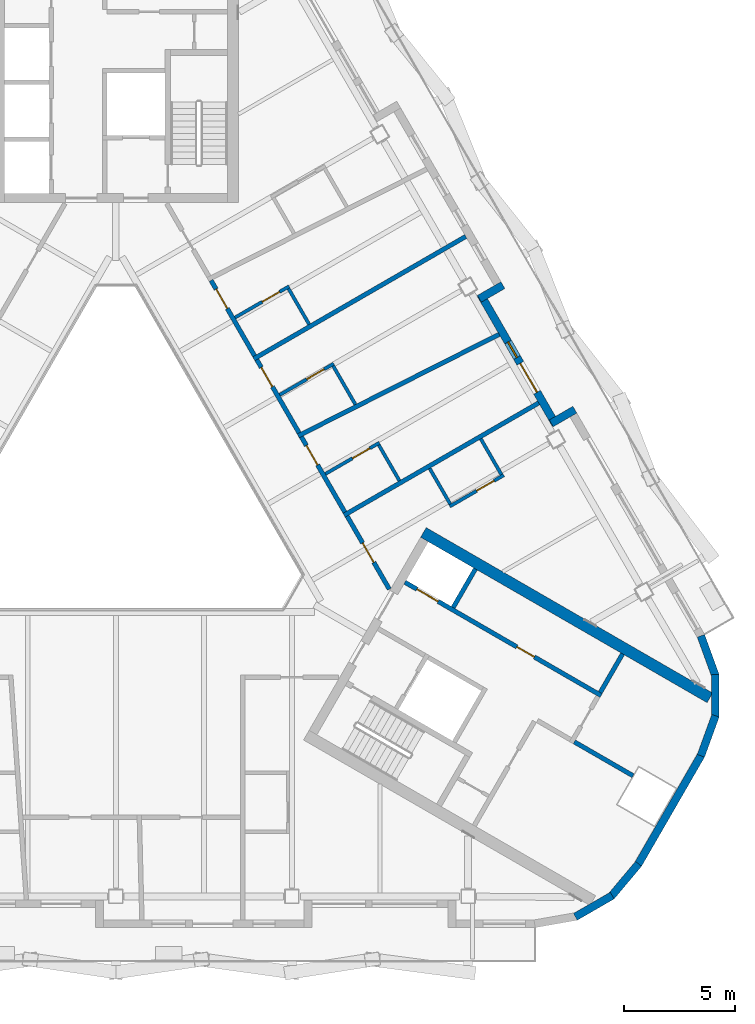
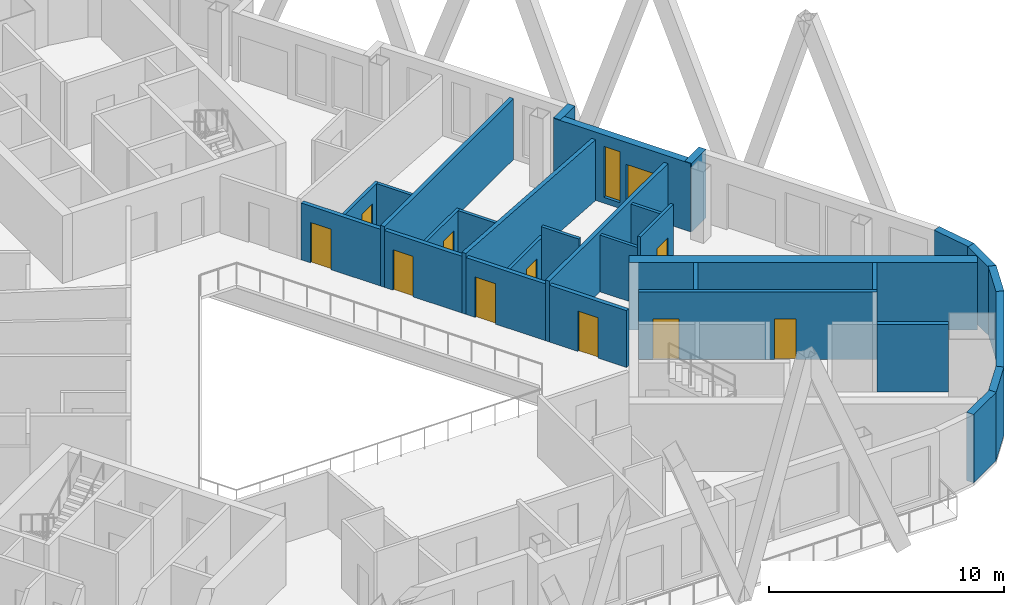
# One storey, part 8 of 18: 30 walls, 11 doors, 1 window, 12 openings.
"""IFC4 building model written with IfcOpenShell, lengths in metres."""

from ifc_helpers import new_model, si_unit, direction, frame, frame_2d, origin, place, context, subcontext, project, spatial, rectangle, extrude, material, layer, layer_set, type_object, element, fill, save


model = new_model("IFC4")

# Units and contexts
model_context = context("Model", 3, precision=1e-05, world=origin(), true_north=direction((0.0, 1.0)))
body_context = subcontext(model_context, "Body", "Model", "MODEL_VIEW")
ifc_project = project(units=[si_unit("LENGTHUNIT", "METRE"), si_unit("AREAUNIT", "SQUARE_METRE"), si_unit("VOLUMEUNIT", "CUBIC_METRE"), si_unit("PLANEANGLEUNIT", "RADIAN"), si_unit("MASSUNIT", "GRAM", prefix="KILO")], contexts=[model_context])

# Site, building, storey
site_placement = place(None, origin())
site = spatial("IfcSite", under=ifc_project, at=site_placement, CompositionType="ELEMENT")
building_placement = place(site_placement, origin())
building = spatial("IfcBuilding", under=site, at=building_placement, Name="Apuvela Tower Hotel", CompositionType="ELEMENT")
storey_placement = place(building_placement, frame((0.0, 0.0, 246.699951171875)))
storey = spatial("IfcBuildingStorey", under=building, at=storey_placement, Name="L60", CompositionType="ELEMENT", Elevation=246.699951171875)

# Wall
ifc_material_1 = material(Name="Concrete C50/60", Category="concrete")
ifc_layer_1 = layer(ifc_material_1, 0.5)
ifc_layer_set_1 = layer_set([ifc_layer_1], Name="COR-WALL-CORE-500")
wall_type_1 = type_object("IfcWallType", Name="COR-WALL-CORE-500", PredefinedType="SHEAR", material=ifc_layer_set_1)
wall_1_placement = place(storey_placement, frame((13.796630859375, -1.9033203125, 0.0), z_axis=(0.0, 0.0, 1.0), x_axis=(0.866025009528, -0.500000682871, 0.0)))
element("IfcWall", 1, at=wall_1_placement, inside=storey, type_object=wall_type_1, Name="Core wall SE", PredefinedType="SHEAR", context=body_context, shape_type="SweptSolid", body=[
    extrude(rectangle(XDim=14.8369140625, YDim=0.5, at=frame_2d((7.41845703125, 0.0))), origin(), (0.0, 0.0, 1.0), 3.5),
])

# Wall, openings, doors
ifc_layer_2 = layer(ifc_material_1, 0.199951171875)
ifc_layer_set_2 = layer_set([ifc_layer_2], Name="COR-WALL-SHAFT-200")
wall_type_2 = type_object("IfcWallType", Name="COR-WALL-SHAFT-200", PredefinedType="SHEAR", material=ifc_layer_set_2)
wall_2_placement = place(storey_placement, frame((12.968017578125, -4.138427734375, 0.0), z_axis=(0.0, 0.0, 1.0), x_axis=(0.866028328073, -0.49999493495, 0.0)))
wall_2 = element("IfcWall", 2, at=wall_2_placement, inside=storey, type_object=wall_type_2, Name="Shaft wall SE", PredefinedType="SHEAR", context=body_context, shape_type="SweptSolid", body=[
    extrude(rectangle(XDim=10.16015625, YDim=0.199951171875, at=frame_2d((5.080078125, 0.0))), origin(), (0.0, 0.0, 1.0), 3.5),
])
opening_1_placement = place(wall_2_placement, frame((0.6201171875, 0.0, 0.0)))
opening_1 = element("IfcOpeningElement", 3, at=opening_1_placement, cuts=wall_2, Name="Opening E-LD-HR3", PredefinedType="OPENING", context=body_context, shape_type="SweptSolid", body=[
    extrude(rectangle(XDim=1.10009765625, YDim=2.10009765625, at=frame_2d((0.550048828125, 1.050048828125))), frame((0.0, 0.10986328125, 0.0), z_axis=(0.0, -1.0, 0.0), x_axis=(1.0, 0.0, 0.0)), (0.0, 0.0, 1.0), 0.219970703125),
])
opening_2_placement = place(wall_2_placement, frame((5.800048828125, 0.0, 0.0)))
opening_2 = element("IfcOpeningElement", 4, at=opening_2_placement, cuts=wall_2, Name="Opening E-RE2", PredefinedType="OPENING", context=body_context, shape_type="SweptSolid", body=[
    extrude(rectangle(XDim=0.89990234375, YDim=2.10009765625, at=frame_2d((0.449951171875, 1.050048828125))), frame((0.0, 0.10986328125, 0.0), z_axis=(0.0, -1.0, 0.0), x_axis=(1.0, 0.0, 0.0)), (0.0, 0.0, 1.0), 0.219970703125),
])
ifc_material_2 = material(Name="Steel fire door, powder coated", Category="steel")
door_type_1 = type_object("IfcDoorType", Name="COR-DR-900", OperationType="NOTDEFINED", PredefinedType="DOOR", material=ifc_material_2)
door_1_placement = place(opening_2_placement, origin())
door_1 = element("IfcDoor", 5, at=door_1_placement, inside=storey, type_object=door_type_1, Name="Store door E-RE2", OperationType="SINGLE_SWING_LEFT", OverallHeight=2.10009765625, OverallWidth=0.89990234375, PredefinedType="DOOR", context=body_context, shape_type="SweptSolid", body=[
    extrude(rectangle(XDim=0.89990234375, YDim=2.10009765625, at=frame_2d((0.449951171875, 1.050048828125))), frame((0.0, 0.02490234375, 0.0), z_axis=(0.0, -1.0, 0.0), x_axis=(1.0, 0.0, 0.0)), (0.0, 0.0, 1.0), 0.050048828125),
])
fill(opening_2, door_1)
ifc_material_3 = material(Name="Stainless steel lift landing door", Category="steel")
door_type_2 = type_object("IfcDoorType", Name="COR-LD-1100", OperationType="DOUBLE_DOOR_SLIDING", PredefinedType="DOOR", material=ifc_material_3)
door_2_placement = place(opening_1_placement, origin())
door_2 = element("IfcDoor", 6, at=door_2_placement, inside=storey, type_object=door_type_2, Name="Lift landing door E-LD-HR3", OperationType="DOUBLE_DOOR_SLIDING", OverallHeight=2.10009765625, OverallWidth=1.10009765625, PredefinedType="DOOR", context=body_context, shape_type="SweptSolid", body=[
    extrude(rectangle(XDim=1.10009765625, YDim=2.10009765625, at=frame_2d((0.550048828125, 1.050048828125))), frame((0.0, 0.02490234375, 0.0), z_axis=(0.0, -1.0, 0.0), x_axis=(1.0, 0.0, 0.0)), (0.0, 0.0, 1.0), 0.050048828125),
])
fill(opening_1, door_2)

# Walls
for number, where, z_axis, x_axis, name in (
    (7, (15.131103515625, -5.27197265625, 0.0), (0.0, 0.0, 1.0), (0.499972520799, 0.866041268327, 0.0), "Shaft wall SE"),
    (8, (21.73046875, -9.081787109375, 0.0), (0.0, 0.0, 1.0), (0.50002537861, 0.866010750942, 0.0), "Shaft wall SE"),
):
    element("IfcWall", number, at=place(storey_placement, frame(where, z_axis=z_axis, x_axis=x_axis)), inside=storey, type_object=wall_type_2, Name=name, PredefinedType="SHEAR", context=body_context, shape_type="SweptSolid", body=[
        extrude(rectangle(XDim=2.0, YDim=0.199951171875, at=frame_2d((1.0, 0.0))), origin(), (0.0, 0.0, 1.0), 3.5),
    ])
wall_3_placement = place(storey_placement, frame((20.56689453125, -11.297119140625, 0.0), z_axis=(0.0, 0.0, 1.0), x_axis=(0.866065229334, -0.49993101378, 0.0)))
element("IfcWall", 9, at=wall_3_placement, inside=storey, type_object=wall_type_2, Name="Shaft wall SE", PredefinedType="SHEAR", context=body_context, shape_type="SweptSolid", body=[
    extrude(rectangle(XDim=3.0400390625, YDim=0.199951171875, at=frame_2d((1.52001953125, 0.0))), origin(), (0.0, 0.0, 1.0), 3.5),
])
ifc_material_4 = material(Name="Concrete C40/50, dark pigmented precast panel", Category="concrete")
ifc_layer_3 = layer(ifc_material_4, 0.35009765625)
ifc_layer_set_3 = layer_set([ifc_layer_3], Name="ENV-WALL-350")
wall_type_3 = type_object("IfcWallType", Name="ENV-WALL-350", PredefinedType="SOLIDWALL", material=ifc_layer_set_3)
for number, where, z_axis, x_axis, name in (
    (10, (20.609619140625, -19.146728515625, 0.0), (0.0, 0.0, 1.0), (0.866000389056, 0.500043324278, 0.0), "External wall L60-27"),
    (11, (22.21728515625, -18.230712890625, 0.0), (0.0, 0.0, 1.0), (0.642733291068, 0.76609001857, 0.0), "External wall L60-28"),
):
    element("IfcWall", number, at=place(storey_placement, frame(where, z_axis=z_axis, x_axis=x_axis)), inside=storey, type_object=wall_type_3, Name=name, PredefinedType="SOLIDWALL", context=body_context, shape_type="SweptSolid", body=[
        extrude(rectangle(XDim=1.909912109375, YDim=0.35009765625, at=frame_2d((0.955078125, 0.0))), origin(), (0.0, 0.0, 1.0), 3.550048828125),
    ])
wall_4_placement = place(storey_placement, frame((23.427490234375, -16.79248046875, 0.0), z_axis=(0.0, 0.0, 1.0), x_axis=(0.500018773155, 0.866014564827, 0.0)))
element("IfcWall", 12, at=wall_4_placement, inside=storey, type_object=wall_type_3, Name="External wall L60-29", PredefinedType="SOLIDWALL", context=body_context, shape_type="SweptSolid", body=[
    extrude(rectangle(XDim=5.657958984375, YDim=0.35009765625, at=frame_2d((2.8291015625, 0.0))), origin(), (0.0, 0.0, 1.0), 3.550048828125),
])
for number, where, z_axis, x_axis, name in (
    (13, (26.24365234375, -11.920166015625, 0.0), (0.0, 0.0, 1.0), (0.342030395486, 0.939688889242, 0.0), "External wall L60-30"),
    (14, (26.88623046875, -10.18505859375, 0.0), (0.0, 0.0, 1.0), (0.0, 1.0, 0.0), "External wall L60-31"),
    (15, (26.89697265625, -8.334716796875, 0.0), (0.0, 0.0, 1.0), (-0.342030395486, 0.939688889242, 0.0), "External wall L60-32"),
):
    element("IfcWall", number, at=place(storey_placement, frame(where, z_axis=z_axis, x_axis=x_axis)), inside=storey, type_object=wall_type_3, Name=name, PredefinedType="SOLIDWALL", context=body_context, shape_type="SweptSolid", body=[
        extrude(rectangle(XDim=1.91015625, YDim=0.35009765625, at=frame_2d((0.955078125, 0.0))), origin(), (0.0, 0.0, 1.0), 3.550048828125),
    ])
wall_5_placement = place(storey_placement, frame((20.587646484375, 3.601318359375, 0.0), z_axis=(0.0, 0.0, 1.0), x_axis=(-0.866005645448, -0.500034220881, 0.0)))
element("IfcWall", 16, at=wall_5_placement, inside=storey, type_object=wall_type_3, Name="External wall L60-34", PredefinedType="SOLIDWALL", context=body_context, shape_type="SweptSolid", body=[
    extrude(rectangle(XDim=1.22021484375, YDim=0.35009765625, at=frame_2d((0.610107421875, 0.0))), origin(), (0.0, 0.0, 1.0), 3.550048828125),
])

# Wall, openings, door, window
wall_6_placement = place(storey_placement, frame((19.72900390625, 2.93798828125, 0.0), z_axis=(0.0, 0.0, 1.0), x_axis=(-0.499976430342, 0.866039011305, 0.0)))
wall_6 = element("IfcWall", 17, at=wall_6_placement, inside=storey, type_object=wall_type_3, Name="External wall L60-35", PredefinedType="SOLIDWALL", context=body_context, shape_type="SweptSolid", body=[
    extrude(rectangle(XDim=6.739990234375, YDim=0.35009765625, at=frame_2d((3.3701171875, 0.0))), origin(), (0.0, 0.0, 1.0), 3.550048828125),
])
opening_3_placement = place(wall_6_placement, frame((1.670166015625, 0.0, 0.0)))
opening_3 = element("IfcOpeningElement", 18, at=opening_3_placement, cuts=wall_6, Name="Opening BD15", PredefinedType="OPENING", context=body_context, shape_type="SweptSolid", body=[
    extrude(rectangle(XDim=1.5, YDim=2.39990234375, at=frame_2d((0.75, 1.199951171875))), frame((0.0, 0.18505859375, 0.0), z_axis=(0.0, -1.0, 0.0), x_axis=(1.0, 0.0, 0.0)), (0.0, 0.0, 1.0), 0.3701171875),
])
opening_4_placement = place(wall_6_placement, frame((3.47021484375, 0.0, 0.300048828125)))
opening_4 = element("IfcOpeningElement", 19, at=opening_4_placement, cuts=wall_6, Name="Opening WN08", PredefinedType="OPENING", context=body_context, shape_type="SweptSolid", body=[
    extrude(rectangle(XDim=0.800048828125, YDim=2.64990234375, at=frame_2d((0.39990234375, 1.324951171875))), frame((0.0, 0.18505859375, 0.0), z_axis=(0.0, -1.0, 0.0), x_axis=(1.0, 0.0, 0.0)), (0.0, 0.0, 1.0), 0.3701171875),
])
ifc_material_5 = material(Name="Aluminium 6063-T6, dark bronze anodised frame with dark tinted laminated glass", Category="aluminium")
door_type_3 = type_object("IfcDoorType", Name="ENV-DOOR-BALCONY-1500x2400", OperationType="SLIDING_TO_LEFT", PredefinedType="DOOR", material=ifc_material_5)
door_3_placement = place(opening_3_placement, frame((1.5, 0.0, 0.0), z_axis=(0.0, 0.0, 1.0), x_axis=(-1.0, 0.0, 0.0)))
door_3 = element("IfcDoor", 20, at=door_3_placement, inside=storey, type_object=door_type_3, Name="Balcony door BD15", OperationType="SLIDING_TO_LEFT", OverallHeight=2.39990234375, OverallWidth=1.5, PredefinedType="DOOR", context=body_context, shape_type="SweptSolid", body=[
    extrude(rectangle(XDim=1.5, YDim=2.39990234375, at=frame_2d((0.75, 1.199951171875))), frame((0.0, 0.02490234375, 0.0), z_axis=(0.0, -1.0, 0.0), x_axis=(1.0, 0.0, 0.0)), (0.0, 0.0, 1.0), 0.050048828125),
])
fill(opening_3, door_3)
ifc_material_6 = material(Name="Glass, dark tinted laminated insulated glazing unit", Category="glass")
window_type = type_object("IfcWindowType", Name="ENV-WIN-800x2650", PartitioningType="SINGLE_PANEL", PredefinedType="WINDOW", material=ifc_material_6)
window_placement = place(opening_4_placement, origin())
window = element("IfcWindow", 21, at=window_placement, inside=storey, type_object=window_type, Name="Window WN08", OverallHeight=2.64990234375, OverallWidth=0.800048828125, PartitioningType="SINGLE_PANEL", PredefinedType="WINDOW", context=body_context, shape_type="SweptSolid", body=[
    extrude(rectangle(XDim=0.800048828125, YDim=2.64990234375, at=frame_2d((0.39990234375, 1.324951171875))), frame((0.0, 0.030029296875, 0.0), z_axis=(0.0, -1.0, 0.0), x_axis=(1.0, 0.0, 0.0)), (0.0, 0.0, 1.0), 0.06005859375),
])
fill(opening_4, window)

# Walls
wall_7_placement = place(storey_placement, frame((16.305908203125, 8.5771484375, 0.0), z_axis=(0.0, 0.0, 1.0), x_axis=(0.866092288191, 0.499884134912, 0.0)))
element("IfcWall", 22, at=wall_7_placement, inside=storey, type_object=wall_type_3, Name="External wall L60-36", PredefinedType="SOLIDWALL", context=body_context, shape_type="SweptSolid", body=[
    extrude(rectangle(XDim=1.219970703125, YDim=0.35009765625, at=frame_2d((0.60986328125, 0.0))), origin(), (0.0, 0.0, 1.0), 3.550048828125),
])
ifc_material_7 = material(Name="Gypsum board partition on twin steel stud", Category="steel")
ifc_layer_4 = layer(ifc_material_7, 0.199951171875)
ifc_layer_set_4 = layer_set([ifc_layer_4], Name="GST-PW1")
wall_type_4 = type_object("IfcWallType", Name="GST-PW1", PredefinedType="PARTITIONING", material=ifc_layer_set_4)
wall_8_placement = place(storey_placement, frame((18.967529296875, 3.9072265625, 0.0), z_axis=(0.0, 0.0, 1.0), x_axis=(-0.866022637375, -0.500004791531, 0.0)))
element("IfcWall", 23, at=wall_8_placement, inside=storey, type_object=wall_type_4, Name="L60 partition 04", PredefinedType="PARTITIONING", context=body_context, shape_type="SweptSolid", body=[
    extrude(rectangle(XDim=10.080078125, YDim=0.199951171875, at=frame_2d((5.0400390625, 0.0))), origin(), (0.0, 0.0, 1.0), 3.16015625),
])
wall_9_placement = place(storey_placement, frame((17.1923828125, 6.981689453125, 0.0), z_axis=(0.0, 0.0, 1.0), x_axis=(-0.892469554868, -0.451107629766, 0.0)))
element("IfcWall", 24, at=wall_9_placement, inside=storey, type_object=wall_type_4, Name="L60 partition 05", PredefinedType="PARTITIONING", context=body_context, shape_type="SweptSolid", body=[
    extrude(rectangle(XDim=10.095703125, YDim=0.199951171875, at=frame_2d((5.0478515625, 0.0))), origin(), (0.0, 0.0, 1.0), 3.16015625),
])
wall_10_placement = place(storey_placement, frame((15.697021484375, 11.3720703125, 0.0), z_axis=(0.0, 0.0, 1.0), x_axis=(-0.866027479907, -0.499996404033, 0.0)))
element("IfcWall", 25, at=wall_10_placement, inside=storey, type_object=wall_type_4, Name="L60 partition 06", PredefinedType="PARTITIONING", context=body_context, shape_type="SweptSolid", body=[
    extrude(rectangle(XDim=10.97998046875, YDim=0.199951171875, at=frame_2d((5.489990234375, 0.0))), origin(), (0.0, 0.0, 1.0), 3.16015625),
])

# Wall, opening, door
ifc_material_8 = material(Name="Gypsum board corridor wall on twin steel stud, acoustic", Category="steel")
ifc_layer_5 = layer(ifc_material_8, 0.199951171875)
ifc_layer_set_5 = layer_set([ifc_layer_5], Name="GST-PW2")
wall_type_5 = type_object("IfcWallType", Name="GST-PW2", PredefinedType="PARTITIONING", material=ifc_layer_set_5)
wall_11_placement = place(storey_placement, frame((10.37451171875, -1.16943359375, 0.0), z_axis=(0.0, 0.0, 1.0), x_axis=(0.500055316652, -0.865993464345, 0.0)))
wall_11 = element("IfcWall", 26, at=wall_11_placement, inside=storey, type_object=wall_type_5, Name="L60 partition 21", PredefinedType="PARTITIONING", context=body_context, shape_type="SweptSolid", body=[
    extrude(rectangle(XDim=3.7880859375, YDim=0.199951171875, at=frame_2d((1.89404296875, 0.0))), origin(), (0.0, 0.0, 1.0), 2.949951171875),
])
opening_5_placement = place(wall_11_placement, frame((1.39404296875, 0.0, 0.0)))
opening_5 = element("IfcOpeningElement", 27, at=opening_5_placement, cuts=wall_11, Name="Opening GD23-08", PredefinedType="OPENING", context=body_context, shape_type="SweptSolid", body=[
    extrude(rectangle(XDim=1.0, YDim=2.10009765625, at=frame_2d((0.5, 1.050048828125))), frame((0.0, 0.10986328125, 0.0), z_axis=(0.0, -1.0, 0.0), x_axis=(1.0, 0.0, 0.0)), (0.0, 0.0, 1.0), 0.219970703125),
])
ifc_material_9 = material(Name="Timber door leaf in steel frame", Category="steel")
door_type_4 = type_object("IfcDoorType", Name="GST-D1", OperationType="NOTDEFINED", PredefinedType="DOOR", material=ifc_material_9)
door_4_placement = place(opening_5_placement, origin())
door_4 = element("IfcDoor", 28, at=door_4_placement, inside=storey, type_object=door_type_4, Name="Door L60-08", OperationType="SINGLE_SWING_LEFT", OverallHeight=2.10009765625, OverallWidth=1.0, PredefinedType="DOOR", context=body_context, shape_type="SweptSolid", body=[
    extrude(rectangle(XDim=1.0, YDim=2.10009765625, at=frame_2d((0.5, 1.050048828125))), frame((0.0, 0.02490234375, 0.0), z_axis=(0.0, -1.0, 0.0), x_axis=(1.0, 0.0, 0.0)), (0.0, 0.0, 1.0), 0.050048828125),
])
fill(opening_5, door_4)

wall_12_placement = place(storey_placement, frame((8.322021484375, 2.385986328125, 0.0), z_axis=(0.0, 0.0, 1.0), x_axis=(0.499998439657, -0.866026304647, 0.0)))
wall_12 = element("IfcWall", 29, at=wall_12_placement, inside=storey, type_object=wall_type_5, Name="L60 partition 25", PredefinedType="PARTITIONING", context=body_context, shape_type="SweptSolid", body=[
    extrude(rectangle(XDim=3.9052734375, YDim=0.199951171875, at=frame_2d((1.95263671875, 0.0))), origin(), (0.0, 0.0, 1.0), 2.949951171875),
])
opening_6_placement = place(wall_12_placement, frame((0.455322265625, 0.0, 0.0)))
opening_6 = element("IfcOpeningElement", 30, at=opening_6_placement, cuts=wall_12, Name="Opening GD23-10", PredefinedType="OPENING", context=body_context, shape_type="SweptSolid", body=[
    extrude(rectangle(XDim=1.0, YDim=2.10009765625, at=frame_2d((0.5, 1.050048828125))), frame((0.0, 0.10986328125, 0.0), z_axis=(0.0, -1.0, 0.0), x_axis=(1.0, 0.0, 0.0)), (0.0, 0.0, 1.0), 0.219970703125),
])
door_5_placement = place(opening_6_placement, origin())
door_5 = element("IfcDoor", 31, at=door_5_placement, inside=storey, type_object=door_type_4, Name="Door L60-10", OperationType="SINGLE_SWING_LEFT", OverallHeight=2.10009765625, OverallWidth=1.0, PredefinedType="DOOR", context=body_context, shape_type="SweptSolid", body=[
    extrude(rectangle(XDim=1.0, YDim=2.10009765625, at=frame_2d((0.5, 1.050048828125))), frame((0.0, 0.02490234375, 0.0), z_axis=(0.0, -1.0, 0.0), x_axis=(1.0, 0.0, 0.0)), (0.0, 0.0, 1.0), 0.050048828125),
])
fill(opening_6, door_5)

wall_13_placement = place(storey_placement, frame((6.32470703125, 5.845458984375, 0.0), z_axis=(0.0, 0.0, 1.0), x_axis=(0.499973105789, -0.866040930607, 0.0)))
wall_13 = element("IfcWall", 32, at=wall_13_placement, inside=storey, type_object=wall_type_5, Name="L60 partition 28", PredefinedType="PARTITIONING", context=body_context, shape_type="SweptSolid", body=[
    extrude(rectangle(XDim=3.794189453125, YDim=0.199951171875, at=frame_2d((1.89697265625, 0.0))), origin(), (0.0, 0.0, 1.0), 2.949951171875),
])
opening_7_placement = place(wall_13_placement, frame((0.402587890625, 0.0, 0.0)))
opening_7 = element("IfcOpeningElement", 33, at=opening_7_placement, cuts=wall_13, Name="Opening GD23-12", PredefinedType="OPENING", context=body_context, shape_type="SweptSolid", body=[
    extrude(rectangle(XDim=1.0, YDim=2.10009765625, at=frame_2d((0.5, 1.050048828125))), frame((0.0, 0.10986328125, 0.0), z_axis=(0.0, -1.0, 0.0), x_axis=(1.0, 0.0, 0.0)), (0.0, 0.0, 1.0), 0.219970703125),
])
door_6_placement = place(opening_7_placement, origin())
door_6 = element("IfcDoor", 34, at=door_6_placement, inside=storey, type_object=door_type_4, Name="Door L60-12", OperationType="SINGLE_SWING_LEFT", OverallHeight=2.10009765625, OverallWidth=1.0, PredefinedType="DOOR", context=body_context, shape_type="SweptSolid", body=[
    extrude(rectangle(XDim=1.0, YDim=2.10009765625, at=frame_2d((0.5, 1.050048828125))), frame((0.0, 0.02490234375, 0.0), z_axis=(0.0, -1.0, 0.0), x_axis=(1.0, 0.0, 0.0)), (0.0, 0.0, 1.0), 0.050048828125),
])
fill(opening_7, door_6)

wall_14_placement = place(storey_placement, frame((4.27197265625, 9.40087890625, 0.0), z_axis=(0.0, 0.0, 1.0), x_axis=(0.499998439657, -0.866026304647, 0.0)))
wall_14 = element("IfcWall", 35, at=wall_14_placement, inside=storey, type_object=wall_type_5, Name="L60 partition 31", PredefinedType="PARTITIONING", context=body_context, shape_type="SweptSolid", body=[
    extrude(rectangle(XDim=3.9052734375, YDim=0.199951171875, at=frame_2d((1.95263671875, 0.0))), origin(), (0.0, 0.0, 1.0), 2.949951171875),
])
opening_8_placement = place(wall_14_placement, frame((0.45556640625, 0.0, 0.0)))
opening_8 = element("IfcOpeningElement", 36, at=opening_8_placement, cuts=wall_14, Name="Opening GD23-14", PredefinedType="OPENING", context=body_context, shape_type="SweptSolid", body=[
    extrude(rectangle(XDim=1.0, YDim=2.10009765625, at=frame_2d((0.5, 1.050048828125))), frame((0.0, 0.10986328125, 0.0), z_axis=(0.0, -1.0, 0.0), x_axis=(1.0, 0.0, 0.0)), (0.0, 0.0, 1.0), 0.219970703125),
])
door_7_placement = place(opening_8_placement, origin())
door_7 = element("IfcDoor", 37, at=door_7_placement, inside=storey, type_object=door_type_4, Name="Door L60-14", OperationType="SINGLE_SWING_LEFT", OverallHeight=2.10009765625, OverallWidth=1.0, PredefinedType="DOOR", context=body_context, shape_type="SweptSolid", body=[
    extrude(rectangle(XDim=1.0, YDim=2.10009765625, at=frame_2d((0.5, 1.050048828125))), frame((0.0, 0.02490234375, 0.0), z_axis=(0.0, -1.0, 0.0), x_axis=(1.0, 0.0, 0.0)), (0.0, 0.0, 1.0), 0.050048828125),
])
fill(opening_8, door_7)

ifc_material_10 = material(Name="Moisture-resistant gypsum board wet wall on steel stud", Category="steel")
ifc_layer_6 = layer(ifc_material_10, 0.14990234375)
ifc_layer_set_6 = layer_set([ifc_layer_6], Name="GST-PW3")
wall_type_6 = type_object("IfcWallType", Name="GST-PW3", PredefinedType="PARTITIONING", material=ifc_layer_set_6)
wall_15_placement = place(storey_placement, frame((14.974365234375, -0.736572265625, 0.0), z_axis=(0.0, 0.0, 1.0), x_axis=(0.866018616679, 0.500011755427, 0.0)))
wall_15 = element("IfcWall", 38, at=wall_15_placement, inside=storey, type_object=wall_type_6, Name="L60 partition 22", PredefinedType="PARTITIONING", context=body_context, shape_type="SweptSolid", body=[
    extrude(rectangle(XDim=2.80029296875, YDim=0.14990234375, at=frame_2d((1.400146484375, 0.0))), origin(), (0.0, 0.0, 1.0), 3.550048828125),
])
opening_9_placement = place(wall_15_placement, frame((1.39990234375, 0.0, 0.0)))
opening_9 = element("IfcOpeningElement", 39, at=opening_9_placement, cuts=wall_15, Name="Opening GD23-07", PredefinedType="OPENING", context=body_context, shape_type="SweptSolid", body=[
    extrude(rectangle(XDim=0.89990234375, YDim=2.10009765625, at=frame_2d((0.449951171875, 1.050048828125))), frame((0.0, 0.0849609375, 0.0), z_axis=(0.0, -1.0, 0.0), x_axis=(1.0, 0.0, 0.0)), (0.0, 0.0, 1.0), 0.169921875),
])
door_type_5 = type_object("IfcDoorType", Name="GST-D2", OperationType="NOTDEFINED", PredefinedType="DOOR", material=ifc_material_9)
door_8_placement = place(opening_9_placement, origin())
door_8 = element("IfcDoor", 40, at=door_8_placement, inside=storey, type_object=door_type_5, Name="Door L60-07", OperationType="SINGLE_SWING_RIGHT", OverallHeight=2.10009765625, OverallWidth=0.89990234375, PredefinedType="DOOR", context=body_context, shape_type="SweptSolid", body=[
    extrude(rectangle(XDim=0.89990234375, YDim=2.10009765625, at=frame_2d((0.449951171875, 1.050048828125))), frame((0.0, 0.02490234375, 0.0), z_axis=(0.0, -1.0, 0.0), x_axis=(1.0, 0.0, 0.0)), (0.0, 0.0, 1.0), 0.050048828125),
])
fill(opening_9, door_8)

# Walls
wall_16_placement = place(storey_placement, frame((17.296875, 0.69091796875, 0.0), z_axis=(0.0, 0.0, 1.0), x_axis=(-0.499985172903, 0.866033964044, 0.0)))
element("IfcWall", 41, at=wall_16_placement, inside=storey, type_object=wall_type_6, Name="L60 partition 23", PredefinedType="PARTITIONING", context=body_context, shape_type="SweptSolid", body=[
    extrude(rectangle(XDim=1.85009765625, YDim=0.14990234375, at=frame_2d((0.925048828125, 0.0))), origin(), (0.0, 0.0, 1.0), 2.949951171875),
])
wall_17_placement = place(storey_placement, frame((15.001953125, -0.634033203125, 0.0), z_axis=(0.0, 0.0, 1.0), x_axis=(-0.500042316284, 0.866000971088, 0.0)))
element("IfcWall", 42, at=wall_17_placement, inside=storey, type_object=wall_type_6, Name="L60 partition 24", PredefinedType="PARTITIONING", context=body_context, shape_type="SweptSolid", body=[
    extrude(rectangle(XDim=1.849853515625, YDim=0.14990234375, at=frame_2d((0.9248046875, 0.0))), origin(), (0.0, 0.0, 1.0), 2.949951171875),
])

# Wall, opening, door
wall_18_placement = place(storey_placement, frame((11.823486328125, 2.120849609375, 0.0), z_axis=(0.0, 0.0, 1.0), x_axis=(-0.866034573852, -0.49998411664, 0.0)))
wall_18 = element("IfcWall", 43, at=wall_18_placement, inside=storey, type_object=wall_type_6, Name="L60 partition 26", PredefinedType="PARTITIONING", context=body_context, shape_type="SweptSolid", body=[
    extrude(rectangle(XDim=2.7998046875, YDim=0.14990234375, at=frame_2d((1.39990234375, 0.0))), origin(), (0.0, 0.0, 1.0), 2.949951171875),
])
opening_10_placement = place(wall_18_placement, frame((0.5, 0.0, 0.0)))
opening_10 = element("IfcOpeningElement", 44, at=opening_10_placement, cuts=wall_18, Name="Opening GD23-09", PredefinedType="OPENING", context=body_context, shape_type="SweptSolid", body=[
    extrude(rectangle(XDim=0.89990234375, YDim=2.10009765625, at=frame_2d((0.449951171875, 1.050048828125))), frame((0.0, 0.0849609375, 0.0), z_axis=(0.0, -1.0, 0.0), x_axis=(1.0, 0.0, 0.0)), (0.0, 0.0, 1.0), 0.169921875),
])
door_9_placement = place(opening_10_placement, origin())
door_9 = element("IfcDoor", 45, at=door_9_placement, inside=storey, type_object=door_type_5, Name="Door L60-09", OperationType="SINGLE_SWING_LEFT", OverallHeight=2.10009765625, OverallWidth=0.89990234375, PredefinedType="DOOR", context=body_context, shape_type="SweptSolid", body=[
    extrude(rectangle(XDim=0.89990234375, YDim=2.10009765625, at=frame_2d((0.449951171875, 1.050048828125))), frame((0.0, 0.02490234375, 0.0), z_axis=(0.0, -1.0, 0.0), x_axis=(1.0, 0.0, 0.0)), (0.0, 0.0, 1.0), 0.050048828125),
])
fill(opening_10, door_9)

# Wall
wall_19_placement = place(storey_placement, frame((12.72119140625, 0.416259765625, 0.0), z_axis=(0.0, 0.0, 1.0), x_axis=(-0.499985172903, 0.866033964044, 0.0)))
element("IfcWall", 46, at=wall_19_placement, inside=storey, type_object=wall_type_6, Name="L60 partition 27", PredefinedType="PARTITIONING", context=body_context, shape_type="SweptSolid", body=[
    extrude(rectangle(XDim=1.85009765625, YDim=0.14990234375, at=frame_2d((0.925048828125, 0.0))), origin(), (0.0, 0.0, 1.0), 3.550048828125),
])

# Wall, opening, door
wall_20_placement = place(storey_placement, frame((9.7763671875, 5.666748046875, 0.0), z_axis=(0.0, 0.0, 1.0), x_axis=(-0.866034573852, -0.49998411664, 0.0)))
wall_20 = element("IfcWall", 47, at=wall_20_placement, inside=storey, type_object=wall_type_6, Name="L60 partition 29", PredefinedType="PARTITIONING", context=body_context, shape_type="SweptSolid", body=[
    extrude(rectangle(XDim=2.7998046875, YDim=0.14990234375, at=frame_2d((1.39990234375, 0.0))), origin(), (0.0, 0.0, 1.0), 2.949951171875),
])
opening_11_placement = place(wall_20_placement, frame((0.5, 0.0, 0.0)))
opening_11 = element("IfcOpeningElement", 48, at=opening_11_placement, cuts=wall_20, Name="Opening GD23-11", PredefinedType="OPENING", context=body_context, shape_type="SweptSolid", body=[
    extrude(rectangle(XDim=0.89990234375, YDim=2.10009765625, at=frame_2d((0.449951171875, 1.050048828125))), frame((0.0, 0.0849609375, 0.0), z_axis=(0.0, -1.0, 0.0), x_axis=(1.0, 0.0, 0.0)), (0.0, 0.0, 1.0), 0.169921875),
])
door_10_placement = place(opening_11_placement, origin())
door_10 = element("IfcDoor", 49, at=door_10_placement, inside=storey, type_object=door_type_5, Name="Door L60-11", OperationType="SINGLE_SWING_LEFT", OverallHeight=2.10009765625, OverallWidth=0.89990234375, PredefinedType="DOOR", context=body_context, shape_type="SweptSolid", body=[
    extrude(rectangle(XDim=0.89990234375, YDim=2.10009765625, at=frame_2d((0.449951171875, 1.050048828125))), frame((0.0, 0.02490234375, 0.0), z_axis=(0.0, -1.0, 0.0), x_axis=(1.0, 0.0, 0.0)), (0.0, 0.0, 1.0), 0.050048828125),
])
fill(opening_11, door_10)

# Wall
wall_21_placement = place(storey_placement, frame((10.746826171875, 3.835693359375, 0.0), z_axis=(0.0, 0.0, 1.0), x_axis=(-0.499980071345, 0.866036909293, 0.0)))
element("IfcWall", 50, at=wall_21_placement, inside=storey, type_object=wall_type_6, Name="L60 partition 30", PredefinedType="PARTITIONING", context=body_context, shape_type="SweptSolid", body=[
    extrude(rectangle(XDim=1.99609375, YDim=0.14990234375, at=frame_2d((0.998046875, 0.0))), origin(), (0.0, 0.0, 1.0), 2.949951171875),
])

# Wall, opening, door
wall_22_placement = place(storey_placement, frame((7.773681640625, 9.1357421875, 0.0), z_axis=(0.0, 0.0, 1.0), x_axis=(-0.866056369097, -0.49994636267, 0.0)))
wall_22 = element("IfcWall", 51, at=wall_22_placement, inside=storey, type_object=wall_type_6, Name="L60 partition 32", PredefinedType="PARTITIONING", context=body_context, shape_type="SweptSolid", body=[
    extrude(rectangle(XDim=2.800048828125, YDim=0.14990234375, at=frame_2d((1.39990234375, 0.0))), origin(), (0.0, 0.0, 1.0), 2.949951171875),
])
opening_12_placement = place(wall_22_placement, frame((0.5, 0.0, 0.0)))
opening_12 = element("IfcOpeningElement", 52, at=opening_12_placement, cuts=wall_22, Name="Opening GD23-13", PredefinedType="OPENING", context=body_context, shape_type="SweptSolid", body=[
    extrude(rectangle(XDim=0.89990234375, YDim=2.10009765625, at=frame_2d((0.449951171875, 1.050048828125))), frame((0.0, 0.0849609375, 0.0), z_axis=(0.0, -1.0, 0.0), x_axis=(1.0, 0.0, 0.0)), (0.0, 0.0, 1.0), 0.169921875),
])
door_11_placement = place(opening_12_placement, origin())
door_11 = element("IfcDoor", 53, at=door_11_placement, inside=storey, type_object=door_type_5, Name="Door L60-13", OperationType="SINGLE_SWING_LEFT", OverallHeight=2.10009765625, OverallWidth=0.89990234375, PredefinedType="DOOR", context=body_context, shape_type="SweptSolid", body=[
    extrude(rectangle(XDim=0.89990234375, YDim=2.10009765625, at=frame_2d((0.449951171875, 1.050048828125))), frame((0.0, 0.02490234375, 0.0), z_axis=(0.0, -1.0, 0.0), x_axis=(1.0, 0.0, 0.0)), (0.0, 0.0, 1.0), 0.050048828125),
])
fill(opening_12, door_11)

# Wall
wall_23_placement = place(storey_placement, frame((8.671142578125, 7.43115234375, 0.0), z_axis=(0.0, 0.0, 1.0), x_axis=(-0.500042316284, 0.866000971088, 0.0)))
element("IfcWall", 54, at=wall_23_placement, inside=storey, type_object=wall_type_6, Name="L60 partition 33", PredefinedType="PARTITIONING", context=body_context, shape_type="SweptSolid", body=[
    extrude(rectangle(XDim=1.849853515625, YDim=0.14990234375, at=frame_2d((0.9248046875, 0.0))), origin(), (0.0, 0.0, 1.0), 2.949951171875),
])

save(model, "model.ifc")
